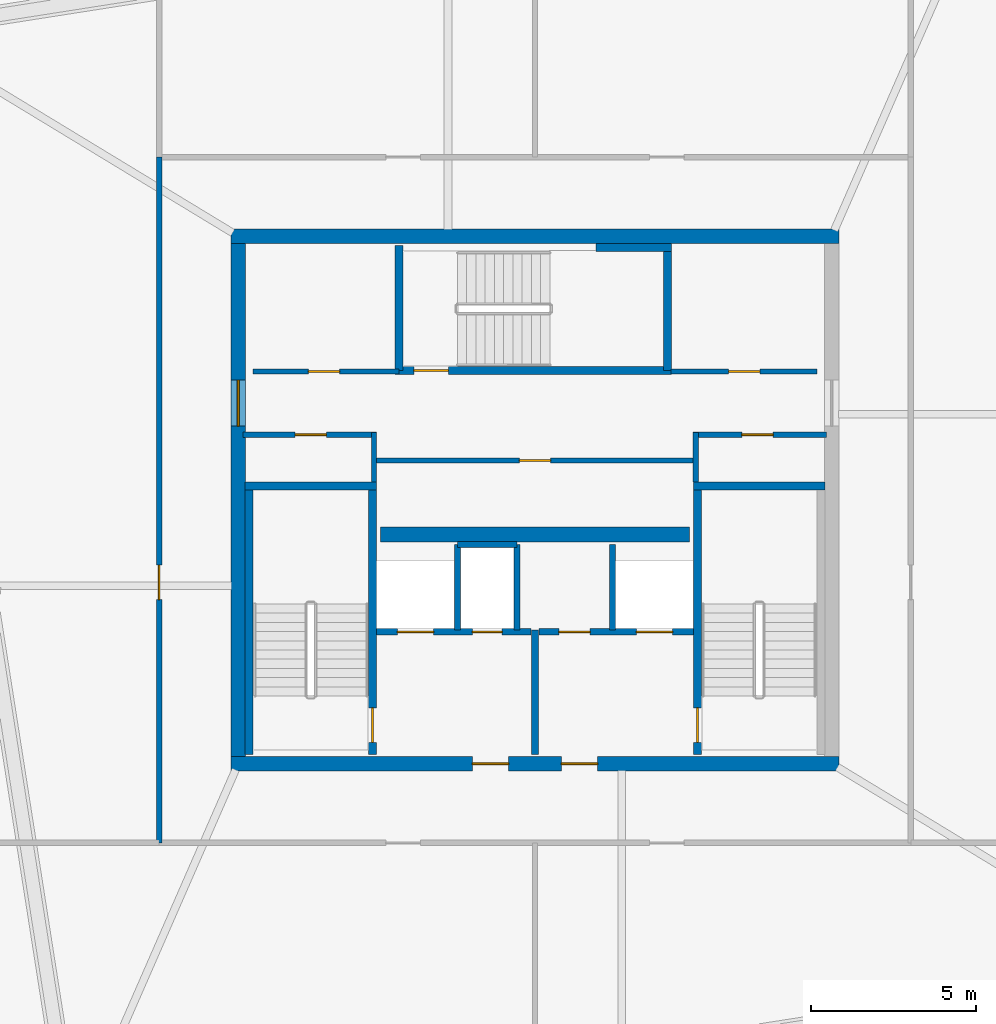
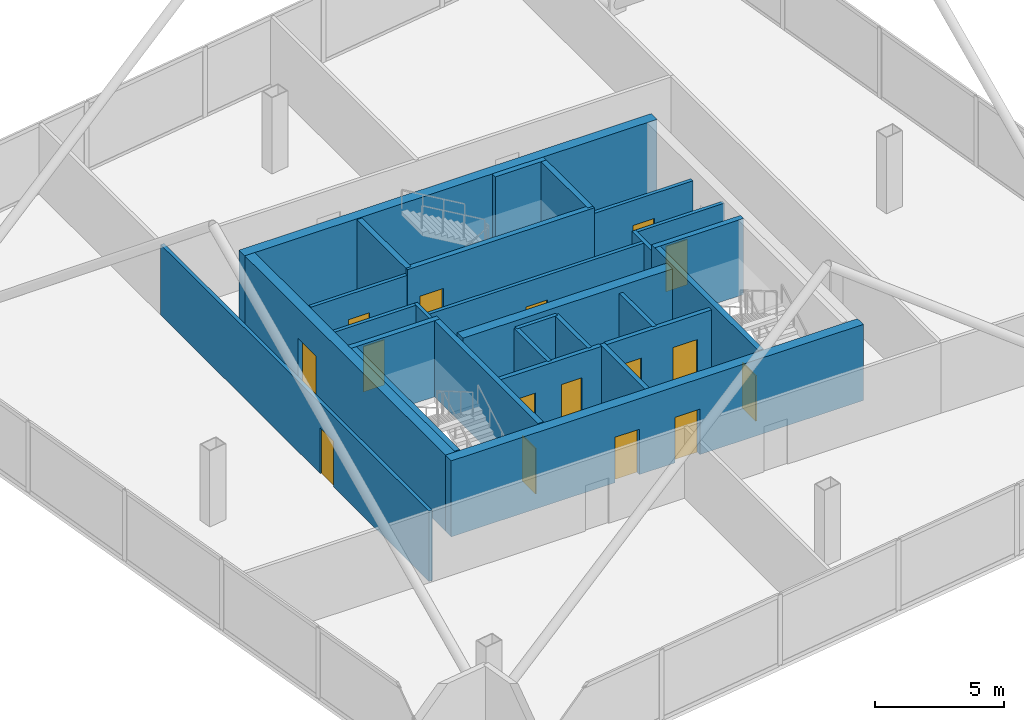
# One storey, part 19 of 21: 28 walls, 16 doors, 16 openings.
"""IFC4 building model written with IfcOpenShell, lengths in metres."""

from ifc_helpers import new_model, si_unit, direction, frame, frame_2d, origin, place, context, subcontext, project, spatial, rectangle, extrude, material, layer, layer_set, type_object, element, fill, save


model = new_model("IFC4")

# Units and contexts
model_context = context("Model", 3, precision=1e-05, world=origin(), true_north=direction((0.0, 1.0)))
body_context = subcontext(model_context, "Body", "Model", "MODEL_VIEW")
ifc_project = project(units=[si_unit("LENGTHUNIT", "METRE"), si_unit("AREAUNIT", "SQUARE_METRE"), si_unit("VOLUMEUNIT", "CUBIC_METRE"), si_unit("PLANEANGLEUNIT", "RADIAN"), si_unit("MASSUNIT", "GRAM", prefix="KILO")], contexts=[model_context])

# Site, building, storey
site_placement = place(None, origin())
site = spatial("IfcSite", under=ifc_project, at=site_placement, CompositionType="ELEMENT")
building_placement = place(site_placement, origin())
building = spatial("IfcBuilding", under=site, at=building_placement, Name="Haldenkirk Collegiate Tower", CompositionType="ELEMENT")
storey_placement = place(building_placement, frame((0.0, 0.0, 360.60009765625)))
storey = spatial("IfcBuildingStorey", under=building, at=storey_placement, Name="L91", CompositionType="ELEMENT", Elevation=360.60009765625)

# Wall, openings, doors
ifc_material_1 = material(Name="Concrete f'c 55 MPa", Category="concrete")
ifc_layer_1 = layer(ifc_material_1, 0.449951171875)
ifc_layer_set_1 = layer_set([ifc_layer_1], Name="Concrete f'c 55 MPa")
wall_type_1 = type_object("IfcWallType", Name="WL-CORE-450", PredefinedType="SHEAR", material=ifc_layer_set_1)
wall_1_placement = place(storey_placement, frame((26.77490234375, 18.0, 0.0), z_axis=(0.0, 0.0, 1.0), x_axis=(1.0, 0.0, 0.0)))
wall_1 = element("IfcWall", 1, at=wall_1_placement, inside=storey, type_object=wall_type_1, Name="L91 central core shear wall S", PredefinedType="SHEAR", context=body_context, shape_type="SweptSolid", body=[
    extrude(rectangle(XDim=18.4501953125, YDim=0.449951171875, at=frame_2d((9.22509765625, 0.0))), origin(), (0.0, 0.0, 1.0), 3.599853515625),
])
opening_1_placement = place(wall_1_placement, frame((7.324951171875, 0.0, 0.0)))
opening_1 = element("IfcOpeningElement", 2, at=opening_1_placement, cuts=wall_1, Name="Opening D-02", PredefinedType="OPENING", context=body_context, shape_type="SweptSolid", body=[
    extrude(rectangle(XDim=1.10009765625, YDim=2.14990234375, at=frame_2d((0.550048828125, 1.074951171875))), frame((0.0, 0.23486328125, 0.0), z_axis=(0.0, -1.0, 0.0), x_axis=(1.0, 0.0, 0.0)), (0.0, 0.0, 1.0), 0.469970703125),
])
opening_2_placement = place(wall_1_placement, frame((10.02490234375, 0.0, 0.0)))
opening_2 = element("IfcOpeningElement", 3, at=opening_2_placement, cuts=wall_1, Name="Opening D-02", PredefinedType="OPENING", context=body_context, shape_type="SweptSolid", body=[
    extrude(rectangle(XDim=1.10009765625, YDim=2.14990234375, at=frame_2d((0.550048828125, 1.074951171875))), frame((0.0, 0.23486328125, 0.0), z_axis=(0.0, -1.0, 0.0), x_axis=(1.0, 0.0, 0.0)), (0.0, 0.0, 1.0), 0.469970703125),
])
ifc_material_2 = material(Name="Galvanized fire-rated hollow steel door", Category="steel")
ifc_layer_2 = layer(ifc_material_2, 0.06005859375)
ifc_layer_set_2 = layer_set([ifc_layer_2], Name="Galvanized fire-rated hollow steel door")
door_type_1 = type_object("IfcDoorType", Name="DR-STAIR-FD90-1100", OperationType="NOTDEFINED", PredefinedType="DOOR", material=ifc_layer_set_2)
door_1_placement = place(opening_1_placement, origin())
door_1 = element("IfcDoor", 4, at=door_1_placement, inside=storey, type_object=door_type_1, Name="L91 Firefighting Lobby 1 door", OperationType="SINGLE_SWING_LEFT", OverallHeight=2.14990234375, OverallWidth=1.10009765625, PredefinedType="DOOR", context=body_context, shape_type="SweptSolid", body=[
    extrude(rectangle(XDim=1.10009765625, YDim=2.14990234375, at=frame_2d((0.550048828125, 1.074951171875))), frame((0.0, 0.02490234375, 0.0), z_axis=(0.0, -1.0, 0.0), x_axis=(1.0, 0.0, 0.0)), (0.0, 0.0, 1.0), 0.050048828125),
])
fill(opening_1, door_1)
door_2_placement = place(opening_2_placement, origin())
door_2 = element("IfcDoor", 5, at=door_2_placement, inside=storey, type_object=door_type_1, Name="L91 Firefighting Lobby 2 door", OperationType="SINGLE_SWING_RIGHT", OverallHeight=2.14990234375, OverallWidth=1.10009765625, PredefinedType="DOOR", context=body_context, shape_type="SweptSolid", body=[
    extrude(rectangle(XDim=1.10009765625, YDim=2.14990234375, at=frame_2d((0.550048828125, 1.074951171875))), frame((0.0, 0.02490234375, 0.0), z_axis=(0.0, -1.0, 0.0), x_axis=(1.0, 0.0, 0.0)), (0.0, 0.0, 1.0), 0.050048828125),
])
fill(opening_2, door_2)

# Wall
wall_2_placement = place(storey_placement, frame((26.77490234375, 34.0, 0.0), z_axis=(0.0, 0.0, 1.0), x_axis=(1.0, 0.0, 0.0)))
element("IfcWall", 6, at=wall_2_placement, inside=storey, type_object=wall_type_1, Name="L91 central core shear wall N", PredefinedType="SHEAR", context=body_context, shape_type="SweptSolid", body=[
    extrude(rectangle(XDim=18.4501953125, YDim=0.449951171875, at=frame_2d((9.22509765625, 0.0))), origin(), (0.0, 0.0, 1.0), 3.599853515625),
])

# Wall, opening, door
wall_3_placement = place(storey_placement, frame((27.0, 18.22509765625, 0.0), z_axis=(0.0, 0.0, 1.0), x_axis=(0.0, 1.0, 0.0)))
wall_3 = element("IfcWall", 7, at=wall_3_placement, inside=storey, type_object=wall_type_1, Name="L91 central core shear wall W", PredefinedType="SHEAR", context=body_context, shape_type="SweptSolid", body=[
    extrude(rectangle(XDim=15.5498046875, YDim=0.449951171875, at=frame_2d((7.77490234375, 0.0))), origin(), (0.0, 0.0, 1.0), 3.599853515625),
])
opening_3_placement = place(wall_3_placement, frame((10.014892578125, 0.0, 0.0)))
opening_3 = element("IfcOpeningElement", 8, at=opening_3_placement, cuts=wall_3, Name="Opening D-03", PredefinedType="OPENING", context=body_context, shape_type="SweptSolid", body=[
    extrude(rectangle(XDim=1.39990234375, YDim=2.199951171875, at=frame_2d((0.699951171875, 1.10009765625))), frame((0.0, 0.23486328125, 0.0), z_axis=(0.0, -1.0, 0.0), x_axis=(1.0, 0.0, 0.0)), (0.0, 0.0, 1.0), 0.469970703125),
])
ifc_layer_3 = layer(ifc_material_2, 0.06005859375)
ifc_layer_set_3 = layer_set([ifc_layer_3], Name="Galvanized fire-rated hollow steel door")
door_type_2 = type_object("IfcDoorType", Name="DR-LOBBY-FD90-1400", OperationType="NOTDEFINED", PredefinedType="DOOR", material=ifc_layer_set_3)
door_3_placement = place(opening_3_placement, origin())
door_3 = element("IfcDoor", 9, at=door_3_placement, inside=storey, type_object=door_type_2, Name="L91 west lift lobby portal", OperationType="DOUBLE_DOOR_SINGLE_SWING", OverallHeight=2.199951171875, OverallWidth=1.39990234375, PredefinedType="DOOR", context=body_context, shape_type="SweptSolid", body=[
    extrude(rectangle(XDim=1.39990234375, YDim=2.199951171875, at=frame_2d((0.699951171875, 1.10009765625))), frame((0.0, 0.02490234375, 0.0), z_axis=(0.0, -1.0, 0.0), x_axis=(1.0, 0.0, 0.0)), (0.0, 0.0, 1.0), 0.050048828125),
])
fill(opening_3, door_3)

# Wall
wall_4_placement = place(storey_placement, frame((31.31005859375, 24.949951171875, 0.0), z_axis=(0.0, 0.0, 1.0), x_axis=(1.0, 0.0, 0.0)))
element("IfcWall", 10, at=wall_4_placement, inside=storey, type_object=wall_type_1, Name="L91 central core spine shear wall", PredefinedType="SHEAR", context=body_context, shape_type="SweptSolid", body=[
    extrude(rectangle(XDim=9.3798828125, YDim=0.449951171875, at=frame_2d((4.68994140625, 0.0))), origin(), (0.0, 0.0, 1.0), 3.599853515625),
])

# Wall, opening, door
ifc_material_3 = material(Name="Acoustic fire-rated gypsum partition", Category="concrete")
ifc_layer_4 = layer(ifc_material_3, 0.159912109375)
ifc_layer_set_4 = layer_set([ifc_layer_4], Name="Acoustic fire-rated gypsum partition")
wall_type_2 = type_object("IfcWallType", Name="WL-INT-CORR-160", PredefinedType="PARTITIONING", material=ifc_layer_set_4)
wall_5_placement = place(storey_placement, frame((27.14990234375, 27.97998046875, 0.0), z_axis=(0.0, 0.0, 1.0), x_axis=(1.0, 0.0, 0.0)))
wall_5 = element("IfcWall", 11, at=wall_5_placement, inside=storey, type_object=wall_type_2, Name="L91 interior partition IW-L91-VCSW-N", PredefinedType="PARTITIONING", context=body_context, shape_type="SweptSolid", body=[
    extrude(rectangle(XDim=4.050048828125, YDim=0.159912109375, at=frame_2d((2.02490234375, 0.0))), origin(), (0.0, 0.0, 1.0), 3.329833984375),
])
opening_4_placement = place(wall_5_placement, frame((1.574951171875, 0.0, 0.0)))
opening_4 = element("IfcOpeningElement", 12, at=opening_4_placement, cuts=wall_5, Name="Opening D-10", PredefinedType="OPENING", context=body_context, shape_type="SweptSolid", body=[
    extrude(rectangle(XDim=0.949951171875, YDim=2.14990234375, at=frame_2d((0.47509765625, 1.074951171875))), frame((0.0, 0.08984375, 0.0), z_axis=(0.0, -1.0, 0.0), x_axis=(1.0, 0.0, 0.0)), (0.0, 0.0, 1.0), 0.179931640625),
])
ifc_material_4 = material(Name="Solid-core architectural oak fire door", Category="wood")
ifc_layer_5 = layer(ifc_material_4, 0.06005859375)
ifc_layer_set_5 = layer_set([ifc_layer_5], Name="Solid-core architectural oak fire door")
door_type_3 = type_object("IfcDoorType", Name="DR-INT-FD60-950", OperationType="NOTDEFINED", PredefinedType="DOOR", material=ifc_layer_set_5)
door_4_placement = place(opening_4_placement, origin())
door_4 = element("IfcDoor", 13, at=door_4_placement, inside=storey, type_object=door_type_3, Name="L91 core electrical door", OperationType="SINGLE_SWING_LEFT", OverallHeight=2.14990234375, OverallWidth=0.949951171875, PredefinedType="DOOR", context=body_context, shape_type="SweptSolid", body=[
    extrude(rectangle(XDim=0.949951171875, YDim=2.14990234375, at=frame_2d((0.47509765625, 1.074951171875))), frame((0.0, 0.02490234375, 0.0), z_axis=(0.0, -1.0, 0.0), x_axis=(1.0, 0.0, 0.0)), (0.0, 0.0, 1.0), 0.050048828125),
])
fill(opening_4, door_4)

# Wall
wall_6_placement = place(storey_placement, frame((31.1201171875, 26.5400390625, 0.0), z_axis=(0.0, 0.0, 1.0), x_axis=(0.0, 1.0, 0.0)))
element("IfcWall", 14, at=wall_6_placement, inside=storey, type_object=wall_type_2, Name="L91 interior partition IW-L91-VCSW-E", PredefinedType="PARTITIONING", context=body_context, shape_type="SweptSolid", body=[
    extrude(rectangle(XDim=1.510009765625, YDim=0.159912109375, at=frame_2d((0.7548828125, 0.0))), origin(), (0.0, 0.0, 1.0), 3.329833984375),
])

# Wall, opening, door
wall_7_placement = place(storey_placement, frame((40.800048828125, 27.97998046875, 0.0), z_axis=(0.0, 0.0, 1.0), x_axis=(1.0, 0.0, 0.0)))
wall_7 = element("IfcWall", 15, at=wall_7_placement, inside=storey, type_object=wall_type_2, Name="L91 interior partition IW-L91-VCSE-N", PredefinedType="PARTITIONING", context=body_context, shape_type="SweptSolid", body=[
    extrude(rectangle(XDim=4.050048828125, YDim=0.159912109375, at=frame_2d((2.02490234375, 0.0))), origin(), (0.0, 0.0, 1.0), 3.329833984375),
])
opening_5_placement = place(wall_7_placement, frame((1.47509765625, 0.0, 0.0)))
opening_5 = element("IfcOpeningElement", 16, at=opening_5_placement, cuts=wall_7, Name="Opening D-10", PredefinedType="OPENING", context=body_context, shape_type="SweptSolid", body=[
    extrude(rectangle(XDim=0.949951171875, YDim=2.14990234375, at=frame_2d((0.47509765625, 1.074951171875))), frame((0.0, 0.08984375, 0.0), z_axis=(0.0, -1.0, 0.0), x_axis=(1.0, 0.0, 0.0)), (0.0, 0.0, 1.0), 0.179931640625),
])
door_5_placement = place(opening_5_placement, origin())
door_5 = element("IfcDoor", 17, at=door_5_placement, inside=storey, type_object=door_type_3, Name="L91 core mechanical store door", OperationType="SINGLE_SWING_RIGHT", OverallHeight=2.14990234375, OverallWidth=0.949951171875, PredefinedType="DOOR", context=body_context, shape_type="SweptSolid", body=[
    extrude(rectangle(XDim=0.949951171875, YDim=2.14990234375, at=frame_2d((0.47509765625, 1.074951171875))), frame((0.0, 0.02490234375, 0.0), z_axis=(0.0, -1.0, 0.0), x_axis=(1.0, 0.0, 0.0)), (0.0, 0.0, 1.0), 0.050048828125),
])
fill(opening_5, door_5)

# Wall
wall_8_placement = place(storey_placement, frame((40.8798828125, 26.5400390625, 0.0), z_axis=(0.0, 0.0, 1.0), x_axis=(0.0, 1.0, 0.0)))
element("IfcWall", 18, at=wall_8_placement, inside=storey, type_object=wall_type_2, Name="L91 interior partition IW-L91-VCSE-W", PredefinedType="PARTITIONING", context=body_context, shape_type="SweptSolid", body=[
    extrude(rectangle(XDim=1.510009765625, YDim=0.159912109375, at=frame_2d((0.7548828125, 0.0))), origin(), (0.0, 0.0, 1.0), 3.329833984375),
])

# Wall, opening, door
wall_9_placement = place(storey_placement, frame((27.449951171875, 29.89990234375, 0.0), z_axis=(0.0, 0.0, 1.0), x_axis=(1.0, 0.0, 0.0)))
wall_9 = element("IfcWall", 19, at=wall_9_placement, inside=storey, type_object=wall_type_2, Name="L91 interior partition IW-L91-PLS", PredefinedType="PARTITIONING", context=body_context, shape_type="SweptSolid", body=[
    extrude(rectangle(XDim=4.429931640625, YDim=0.159912109375, at=frame_2d((2.21484375, 0.0))), origin(), (0.0, 0.0, 1.0), 3.329833984375),
])
opening_6_placement = place(wall_9_placement, frame((1.675048828125, 0.0, 0.0)))
opening_6 = element("IfcOpeningElement", 20, at=opening_6_placement, cuts=wall_9, Name="Opening D-10", PredefinedType="OPENING", context=body_context, shape_type="SweptSolid", body=[
    extrude(rectangle(XDim=0.949951171875, YDim=2.14990234375, at=frame_2d((0.47509765625, 1.074951171875))), frame((0.0, 0.08984375, 0.0), z_axis=(0.0, -1.0, 0.0), x_axis=(1.0, 0.0, 0.0)), (0.0, 0.0, 1.0), 0.179931640625),
])
door_6_placement = place(opening_6_placement, origin())
door_6 = element("IfcDoor", 21, at=door_6_placement, inside=storey, type_object=door_type_3, Name="L91 reclaimed plant store door", OperationType="SINGLE_SWING_LEFT", OverallHeight=2.14990234375, OverallWidth=0.949951171875, PredefinedType="DOOR", context=body_context, shape_type="SweptSolid", body=[
    extrude(rectangle(XDim=0.949951171875, YDim=2.14990234375, at=frame_2d((0.47509765625, 1.074951171875))), frame((0.0, 0.02490234375, 0.0), z_axis=(0.0, -1.0, 0.0), x_axis=(1.0, 0.0, 0.0)), (0.0, 0.0, 1.0), 0.050048828125),
])
fill(opening_6, door_6)

wall_10_placement = place(storey_placement, frame((40.1201171875, 29.89990234375, 0.0), z_axis=(0.0, 0.0, 1.0), x_axis=(1.0, 0.0, 0.0)))
wall_10 = element("IfcWall", 22, at=wall_10_placement, inside=storey, type_object=wall_type_2, Name="L91 interior partition IW-L91-PMS", PredefinedType="PARTITIONING", context=body_context, shape_type="SweptSolid", body=[
    extrude(rectangle(XDim=4.429931640625, YDim=0.159912109375, at=frame_2d((2.21484375, 0.0))), origin(), (0.0, 0.0, 1.0), 3.329833984375),
])
opening_7_placement = place(wall_10_placement, frame((1.7548828125, 0.0, 0.0)))
opening_7 = element("IfcOpeningElement", 23, at=opening_7_placement, cuts=wall_10, Name="Opening D-10", PredefinedType="OPENING", context=body_context, shape_type="SweptSolid", body=[
    extrude(rectangle(XDim=0.949951171875, YDim=2.14990234375, at=frame_2d((0.47509765625, 1.074951171875))), frame((0.0, 0.08984375, 0.0), z_axis=(0.0, -1.0, 0.0), x_axis=(1.0, 0.0, 0.0)), (0.0, 0.0, 1.0), 0.179931640625),
])
door_7_placement = place(opening_7_placement, origin())
door_7 = element("IfcDoor", 24, at=door_7_placement, inside=storey, type_object=door_type_3, Name="L91 east plant store door", OperationType="SINGLE_SWING_RIGHT", OverallHeight=2.14990234375, OverallWidth=0.949951171875, PredefinedType="DOOR", context=body_context, shape_type="SweptSolid", body=[
    extrude(rectangle(XDim=0.949951171875, YDim=2.14990234375, at=frame_2d((0.47509765625, 1.074951171875))), frame((0.0, 0.02490234375, 0.0), z_axis=(0.0, -1.0, 0.0), x_axis=(1.0, 0.0, 0.0)), (0.0, 0.0, 1.0), 0.050048828125),
])
fill(opening_7, door_7)

wall_11_placement = place(storey_placement, frame((31.199951171875, 27.199951171875, 0.0), z_axis=(0.0, 0.0, 1.0), x_axis=(1.0, 0.0, 0.0)))
wall_11 = element("IfcWall", 25, at=wall_11_placement, inside=storey, type_object=wall_type_2, Name="L91 interior partition IW-L91-PHN", PredefinedType="PARTITIONING", context=body_context, shape_type="SweptSolid", body=[
    extrude(rectangle(XDim=9.60009765625, YDim=0.159912109375, at=frame_2d((4.800048828125, 0.0))), origin(), (0.0, 0.0, 1.0), 3.329833984375),
])
opening_8_placement = place(wall_11_placement, frame((4.324951171875, 0.0, 0.0)))
opening_8 = element("IfcOpeningElement", 26, at=opening_8_placement, cuts=wall_11, Name="Opening D-10", PredefinedType="OPENING", context=body_context, shape_type="SweptSolid", body=[
    extrude(rectangle(XDim=0.949951171875, YDim=2.14990234375, at=frame_2d((0.47509765625, 1.074951171875))), frame((0.0, 0.08984375, 0.0), z_axis=(0.0, -1.0, 0.0), x_axis=(1.0, 0.0, 0.0)), (0.0, 0.0, 1.0), 0.179931640625),
])
door_8_placement = place(opening_8_placement, origin())
door_8 = element("IfcDoor", 27, at=door_8_placement, inside=storey, type_object=door_type_3, Name="L91 crown telemetry door", OperationType="SINGLE_SWING_LEFT", OverallHeight=2.14990234375, OverallWidth=0.949951171875, PredefinedType="DOOR", context=body_context, shape_type="SweptSolid", body=[
    extrude(rectangle(XDim=0.949951171875, YDim=2.14990234375, at=frame_2d((0.47509765625, 1.074951171875))), frame((0.0, 0.02490234375, 0.0), z_axis=(0.0, -1.0, 0.0), x_axis=(1.0, 0.0, 0.0)), (0.0, 0.0, 1.0), 0.050048828125),
])
fill(opening_8, door_8)

wall_12_placement = place(storey_placement, frame((24.60009765625, 15.60009765625, 0.0), z_axis=(0.0, 0.0, 1.0), x_axis=(0.0, 1.0, 0.0)))
wall_12 = element("IfcWall", 28, at=wall_12_placement, inside=storey, type_object=wall_type_2, Name="L91 interior partition IW-L91-CW", PredefinedType="PARTITIONING", context=body_context, shape_type="SweptSolid", body=[
    extrude(rectangle(XDim=20.7998046875, YDim=0.159912109375, at=frame_2d((10.39990234375, 0.0))), origin(), (0.0, 0.0, 1.0), 3.329833984375),
])
opening_9_placement = place(wall_12_placement, frame((7.375, 0.0, 0.0)))
opening_9 = element("IfcOpeningElement", 29, at=opening_9_placement, cuts=wall_12, Name="Opening D-09", PredefinedType="OPENING", context=body_context, shape_type="SweptSolid", body=[
    extrude(rectangle(XDim=1.050048828125, YDim=2.14990234375, at=frame_2d((0.52490234375, 1.074951171875))), frame((0.0, 0.08984375, 0.0), z_axis=(0.0, -1.0, 0.0), x_axis=(1.0, 0.0, 0.0)), (0.0, 0.0, 1.0), 0.179931640625),
])
ifc_layer_6 = layer(ifc_material_4, 0.06005859375)
ifc_layer_set_6 = layer_set([ifc_layer_6], Name="Solid-core architectural oak fire door")
door_type_4 = type_object("IfcDoorType", Name="DR-INT-FD60-1050", OperationType="NOTDEFINED", PredefinedType="DOOR", material=ifc_layer_set_6)
door_9_placement = place(opening_9_placement, origin())
door_9 = element("IfcDoor", 30, at=door_9_placement, inside=storey, type_object=door_type_4, Name="L91 crown W plant door", OperationType="SINGLE_SWING_RIGHT", OverallHeight=2.14990234375, OverallWidth=1.050048828125, PredefinedType="DOOR", context=body_context, shape_type="SweptSolid", body=[
    extrude(rectangle(XDim=1.050048828125, YDim=2.14990234375, at=frame_2d((0.52490234375, 1.074951171875))), frame((0.0, 0.02490234375, 0.0), z_axis=(0.0, -1.0, 0.0), x_axis=(1.0, 0.0, 0.0)), (0.0, 0.0, 1.0), 0.050048828125),
])
fill(opening_9, door_9)

# Walls
ifc_material_5 = material(Name="Fire-rated gypsum shaftboard assembly", Category="concrete")
ifc_layer_7 = layer(ifc_material_5, 0.179931640625)
ifc_layer_set_7 = layer_set([ifc_layer_7], Name="Fire-rated gypsum shaftboard assembly")
wall_type_3 = type_object("IfcWallType", Name="WL-INT-SHAFT-180", PredefinedType="PARTITIONING", material=ifc_layer_set_7)
for number, where, z_axis, x_axis, name in (
    (31, (33.64990234375, 22.050048828125, 0.0), (0.0, 0.0, 1.0), (0.0, 1.0, 0.0), "L91 interior partition IW-L91-FL1E"),
    (32, (35.449951171875, 22.050048828125, 0.0), (0.0, 0.0, 1.0), (0.0, 1.0, 0.0), "L91 interior partition IW-L91-GL1W"),
):
    element("IfcWall", number, at=place(storey_placement, frame(where, z_axis=z_axis, x_axis=x_axis)), inside=storey, type_object=wall_type_3, Name=name, PredefinedType="PARTITIONING", context=body_context, shape_type="SweptSolid", body=[
        extrude(rectangle(XDim=2.599853515625, YDim=0.179931640625, at=frame_2d((1.2998046875, 0.0))), origin(), (0.0, 0.0, 1.0), 3.329833984375),
    ])
wall_13_placement = place(storey_placement, frame((33.64990234375, 24.64990234375, 0.0), z_axis=(0.0, 0.0, 1.0), x_axis=(1.0, 0.0, 0.0)))
element("IfcWall", 33, at=wall_13_placement, inside=storey, type_object=wall_type_3, Name="L91 interior partition IW-L91-RSRN", PredefinedType="PARTITIONING", context=body_context, shape_type="SweptSolid", body=[
    extrude(rectangle(XDim=1.800048828125, YDim=0.179931640625, at=frame_2d((0.89990234375, 0.0))), origin(), (0.0, 0.0, 1.0), 3.329833984375),
])
wall_14_placement = place(storey_placement, frame((38.35009765625, 22.050048828125, 0.0), z_axis=(0.0, 0.0, 1.0), x_axis=(0.0, 1.0, 0.0)))
element("IfcWall", 34, at=wall_14_placement, inside=storey, type_object=wall_type_3, Name="L91 interior partition IW-L91-GL1E", PredefinedType="PARTITIONING", context=body_context, shape_type="SweptSolid", body=[
    extrude(rectangle(XDim=2.599853515625, YDim=0.179931640625, at=frame_2d((1.2998046875, 0.0))), origin(), (0.0, 0.0, 1.0), 3.329833984375),
])
ifc_layer_8 = layer(ifc_material_5, 0.199951171875)
ifc_layer_set_8 = layer_set([ifc_layer_8], Name="Fire-rated gypsum shaftboard assembly")
wall_type_4 = type_object("IfcWallType", Name="WL-INT-SHAFT-200", PredefinedType="PARTITIONING", material=ifc_layer_set_8)
wall_15_placement = place(storey_placement, frame((36.0, 18.280029296875, 0.0), z_axis=(0.0, 0.0, 1.0), x_axis=(0.0, 1.0, 0.0)))
element("IfcWall", 35, at=wall_15_placement, inside=storey, type_object=wall_type_4, Name="L91 interior partition IW-L91-FFLM", PredefinedType="PARTITIONING", context=body_context, shape_type="SweptSolid", body=[
    extrude(rectangle(XDim=3.77001953125, YDim=0.199951171875, at=frame_2d((1.885009765625, 0.0))), origin(), (0.0, 0.0, 1.0), 3.329833984375),
])

# Wall, openings, doors
wall_16_placement = place(storey_placement, frame((31.18994140625, 22.0, 0.0), z_axis=(0.0, 0.0, 1.0), x_axis=(1.0, 0.0, 0.0)))
wall_16 = element("IfcWall", 36, at=wall_16_placement, inside=storey, type_object=wall_type_4, Name="L91 interior partition IW-L91-FFL1N", PredefinedType="PARTITIONING", context=body_context, shape_type="SweptSolid", body=[
    extrude(rectangle(XDim=4.68994140625, YDim=0.199951171875, at=frame_2d((2.344970703125, 0.0))), origin(), (0.0, 0.0, 1.0), 3.329833984375),
])
opening_10_placement = place(wall_16_placement, frame((2.909912109375, 0.0, 0.0)))
opening_10 = element("IfcOpeningElement", 37, at=opening_10_placement, cuts=wall_16, Name="Opening D-06", PredefinedType="OPENING", context=body_context, shape_type="SweptSolid", body=[
    extrude(rectangle(XDim=0.89990234375, YDim=2.14990234375, at=frame_2d((0.449951171875, 1.074951171875))), frame((0.0, 0.10986328125, 0.0), z_axis=(0.0, -1.0, 0.0), x_axis=(1.0, 0.0, 0.0)), (0.0, 0.0, 1.0), 0.219970703125),
])
opening_11_placement = place(wall_16_placement, frame((0.635009765625, 0.0, 0.0)))
opening_11 = element("IfcOpeningElement", 38, at=opening_11_placement, cuts=wall_16, Name="Opening LD-12", PredefinedType="OPENING", context=body_context, shape_type="SweptSolid", body=[
    extrude(rectangle(XDim=1.10009765625, YDim=2.14990234375, at=frame_2d((0.550048828125, 1.074951171875))), frame((0.0, 0.10986328125, 0.0), z_axis=(0.0, -1.0, 0.0), x_axis=(1.0, 0.0, 0.0)), (0.0, 0.0, 1.0), 0.219970703125),
])
ifc_layer_9 = layer(ifc_material_2, 0.06005859375)
ifc_layer_set_9 = layer_set([ifc_layer_9], Name="Galvanized fire-rated hollow steel door")
door_type_5 = type_object("IfcDoorType", Name="DR-INT-FD90-900", OperationType="NOTDEFINED", PredefinedType="DOOR", material=ifc_layer_set_9)
door_10_placement = place(opening_10_placement, origin())
door_10 = element("IfcDoor", 39, at=door_10_placement, inside=storey, type_object=door_type_5, Name="L91 electrical riser door", OperationType="SINGLE_SWING_LEFT", OverallHeight=2.14990234375, OverallWidth=0.89990234375, PredefinedType="DOOR", context=body_context, shape_type="SweptSolid", body=[
    extrude(rectangle(XDim=0.89990234375, YDim=2.14990234375, at=frame_2d((0.449951171875, 1.074951171875))), frame((0.0, 0.02490234375, 0.0), z_axis=(0.0, -1.0, 0.0), x_axis=(1.0, 0.0, 0.0)), (0.0, 0.0, 1.0), 0.050048828125),
])
fill(opening_10, door_10)
ifc_material_6 = material(Name="Brushed architectural stainless steel", Category="steel")
ifc_layer_10 = layer(ifc_material_6, 0.06005859375)
ifc_layer_set_10 = layer_set([ifc_layer_10], Name="Brushed architectural stainless steel")
door_type_6 = type_object("IfcDoorType", Name="LD-FIRE-1100", OperationType="NOTDEFINED", PredefinedType="DOOR", material=ifc_layer_set_10)
door_11_placement = place(opening_11_placement, origin())
door_11 = element("IfcDoor", 40, at=door_11_placement, inside=storey, type_object=door_type_6, Name="L91 Elevator FL1 sliding landing door", OperationType="SLIDING_TO_LEFT", OverallHeight=2.14990234375, OverallWidth=1.10009765625, PredefinedType="DOOR", context=body_context, shape_type="SweptSolid", body=[
    extrude(rectangle(XDim=1.10009765625, YDim=2.14990234375, at=frame_2d((0.550048828125, 1.074951171875))), frame((0.0, 0.02490234375, 0.0), z_axis=(0.0, -1.0, 0.0), x_axis=(1.0, 0.0, 0.0)), (0.0, 0.0, 1.0), 0.050048828125),
])
fill(opening_11, door_11)

wall_17_placement = place(storey_placement, frame((36.1201171875, 22.0, 0.0), z_axis=(0.0, 0.0, 1.0), x_axis=(1.0, 0.0, 0.0)))
wall_17 = element("IfcWall", 41, at=wall_17_placement, inside=storey, type_object=wall_type_4, Name="L91 interior partition IW-L91-FFL2N", PredefinedType="PARTITIONING", context=body_context, shape_type="SweptSolid", body=[
    extrude(rectangle(XDim=4.68994140625, YDim=0.199951171875, at=frame_2d((2.344970703125, 0.0))), origin(), (0.0, 0.0, 1.0), 3.329833984375),
])
opening_12_placement = place(wall_17_placement, frame((0.60498046875, 0.0, 0.0)))
opening_12 = element("IfcOpeningElement", 42, at=opening_12_placement, cuts=wall_17, Name="Opening D-05", PredefinedType="OPENING", context=body_context, shape_type="SweptSolid", body=[
    extrude(rectangle(XDim=0.949951171875, YDim=2.14990234375, at=frame_2d((0.47509765625, 1.074951171875))), frame((0.0, 0.10986328125, 0.0), z_axis=(0.0, -1.0, 0.0), x_axis=(1.0, 0.0, 0.0)), (0.0, 0.0, 1.0), 0.219970703125),
])
opening_13_placement = place(wall_17_placement, frame((2.955078125, 0.0, 0.0)))
opening_13 = element("IfcOpeningElement", 43, at=opening_13_placement, cuts=wall_17, Name="Opening LD-12", PredefinedType="OPENING", context=body_context, shape_type="SweptSolid", body=[
    extrude(rectangle(XDim=1.10009765625, YDim=2.14990234375, at=frame_2d((0.550048828125, 1.074951171875))), frame((0.0, 0.10986328125, 0.0), z_axis=(0.0, -1.0, 0.0), x_axis=(1.0, 0.0, 0.0)), (0.0, 0.0, 1.0), 0.219970703125),
])
ifc_layer_11 = layer(ifc_material_2, 0.06005859375)
ifc_layer_set_11 = layer_set([ifc_layer_11], Name="Galvanized fire-rated hollow steel door")
door_type_7 = type_object("IfcDoorType", Name="DR-INT-FD90-950", OperationType="NOTDEFINED", PredefinedType="DOOR", material=ifc_layer_set_11)
door_12_placement = place(opening_12_placement, origin())
door_12 = element("IfcDoor", 44, at=door_12_placement, inside=storey, type_object=door_type_7, Name="L91 Crown Controls Plant Room door", OperationType="SINGLE_SWING_RIGHT", OverallHeight=2.14990234375, OverallWidth=0.949951171875, PredefinedType="DOOR", context=body_context, shape_type="SweptSolid", body=[
    extrude(rectangle(XDim=0.949951171875, YDim=2.14990234375, at=frame_2d((0.47509765625, 1.074951171875))), frame((0.0, 0.02490234375, 0.0), z_axis=(0.0, -1.0, 0.0), x_axis=(1.0, 0.0, 0.0)), (0.0, 0.0, 1.0), 0.050048828125),
])
fill(opening_12, door_12)
door_13_placement = place(opening_13_placement, origin())
door_13 = element("IfcDoor", 45, at=door_13_placement, inside=storey, type_object=door_type_6, Name="L91 Elevator FL2 sliding landing door", OperationType="SLIDING_TO_LEFT", OverallHeight=2.14990234375, OverallWidth=1.10009765625, PredefinedType="DOOR", context=body_context, shape_type="SweptSolid", body=[
    extrude(rectangle(XDim=1.10009765625, YDim=2.14990234375, at=frame_2d((0.550048828125, 1.074951171875))), frame((0.0, 0.02490234375, 0.0), z_axis=(0.0, -1.0, 0.0), x_axis=(1.0, 0.0, 0.0)), (0.0, 0.0, 1.0), 0.050048828125),
])
fill(opening_13, door_13)

# Wall, opening, door
ifc_layer_12 = layer(ifc_material_1, 0.239990234375)
ifc_layer_set_12 = layer_set([ifc_layer_12], Name="Concrete f'c 55 MPa")
wall_type_5 = type_object("IfcWallType", Name="WL-SHAFT-240", PredefinedType="SHEAR", material=ifc_layer_set_12)
wall_18_placement = place(storey_placement, frame((31.070068359375, 18.280029296875, 0.0), z_axis=(0.0, 0.0, 1.0), x_axis=(0.0, 1.0, 0.0)))
wall_18 = element("IfcWall", 46, at=wall_18_placement, inside=storey, type_object=wall_type_5, Name="L91 stair shaft shear wall SW-L91-ST1E", PredefinedType="SHEAR", context=body_context, shape_type="SweptSolid", body=[
    extrude(rectangle(XDim=8.260009765625, YDim=0.239990234375, at=frame_2d((4.1298828125, 0.0))), origin(), (0.0, 0.0, 1.0), 3.599853515625),
])
opening_14_placement = place(wall_18_placement, frame((0.364990234375, 0.0, 0.0)))
opening_14 = element("IfcOpeningElement", 47, at=opening_14_placement, cuts=wall_18, Name="Opening D-01", PredefinedType="OPENING", context=body_context, shape_type="SweptSolid", body=[
    extrude(rectangle(XDim=1.050048828125, YDim=2.14990234375, at=frame_2d((0.52490234375, 1.074951171875))), frame((0.0, 0.1298828125, 0.0), z_axis=(0.0, -1.0, 0.0), x_axis=(1.0, 0.0, 0.0)), (0.0, 0.0, 1.0), 0.260009765625),
])
ifc_layer_13 = layer(ifc_material_2, 0.06005859375)
ifc_layer_set_13 = layer_set([ifc_layer_13], Name="Galvanized fire-rated hollow steel door")
door_type_8 = type_object("IfcDoorType", Name="DR-STAIR-FD90-1050", OperationType="NOTDEFINED", PredefinedType="DOOR", material=ifc_layer_set_13)
door_14_placement = place(opening_14_placement, origin())
door_14 = element("IfcDoor", 48, at=door_14_placement, inside=storey, type_object=door_type_8, Name="L91 Stair 1 door", OperationType="SINGLE_SWING_LEFT", OverallHeight=2.14990234375, OverallWidth=1.050048828125, PredefinedType="DOOR", context=body_context, shape_type="SweptSolid", body=[
    extrude(rectangle(XDim=1.050048828125, YDim=2.14990234375, at=frame_2d((0.52490234375, 1.074951171875))), frame((0.0, 0.02490234375, 0.0), z_axis=(0.0, -1.0, 0.0), x_axis=(1.0, 0.0, 0.0)), (0.0, 0.0, 1.0), 0.050048828125),
])
fill(opening_14, door_14)

# Walls
wall_19_placement = place(storey_placement, frame((27.2099609375, 26.419921875, 0.0), z_axis=(0.0, 0.0, 1.0), x_axis=(1.0, 0.0, 0.0)))
element("IfcWall", 49, at=wall_19_placement, inside=storey, type_object=wall_type_5, Name="L91 stair shaft shear wall SW-L91-ST1N", PredefinedType="SHEAR", context=body_context, shape_type="SweptSolid", body=[
    extrude(rectangle(XDim=3.97998046875, YDim=0.239990234375, at=frame_2d((1.989990234375, 0.0))), origin(), (0.0, 0.0, 1.0), 3.599853515625),
])
wall_20_placement = place(storey_placement, frame((27.330078125, 18.280029296875, 0.0), z_axis=(0.0, 0.0, 1.0), x_axis=(0.0, 1.0, 0.0)))
element("IfcWall", 50, at=wall_20_placement, inside=storey, type_object=wall_type_5, Name="L91 stair shaft shear wall SW-L91-ST1W", PredefinedType="SHEAR", context=body_context, shape_type="SweptSolid", body=[
    extrude(rectangle(XDim=8.260009765625, YDim=0.239990234375, at=frame_2d((4.1298828125, 0.0))), origin(), (0.0, 0.0, 1.0), 3.599853515625),
])

# Wall, opening, door
wall_21_placement = place(storey_placement, frame((40.929931640625, 18.280029296875, 0.0), z_axis=(0.0, 0.0, 1.0), x_axis=(0.0, 1.0, 0.0)))
wall_21 = element("IfcWall", 51, at=wall_21_placement, inside=storey, type_object=wall_type_5, Name="L91 stair shaft shear wall SW-L91-ST2W", PredefinedType="SHEAR", context=body_context, shape_type="SweptSolid", body=[
    extrude(rectangle(XDim=8.260009765625, YDim=0.239990234375, at=frame_2d((4.1298828125, 0.0))), origin(), (0.0, 0.0, 1.0), 3.599853515625),
])
opening_15_placement = place(wall_21_placement, frame((0.364990234375, 0.0, 0.0)))
opening_15 = element("IfcOpeningElement", 52, at=opening_15_placement, cuts=wall_21, Name="Opening D-01", PredefinedType="OPENING", context=body_context, shape_type="SweptSolid", body=[
    extrude(rectangle(XDim=1.050048828125, YDim=2.14990234375, at=frame_2d((0.52490234375, 1.074951171875))), frame((0.0, 0.1298828125, 0.0), z_axis=(0.0, -1.0, 0.0), x_axis=(1.0, 0.0, 0.0)), (0.0, 0.0, 1.0), 0.260009765625),
])
door_15_placement = place(opening_15_placement, origin())
door_15 = element("IfcDoor", 53, at=door_15_placement, inside=storey, type_object=door_type_8, Name="L91 Stair 2 door", OperationType="SINGLE_SWING_RIGHT", OverallHeight=2.14990234375, OverallWidth=1.050048828125, PredefinedType="DOOR", context=body_context, shape_type="SweptSolid", body=[
    extrude(rectangle(XDim=1.050048828125, YDim=2.14990234375, at=frame_2d((0.52490234375, 1.074951171875))), frame((0.0, 0.02490234375, 0.0), z_axis=(0.0, -1.0, 0.0), x_axis=(1.0, 0.0, 0.0)), (0.0, 0.0, 1.0), 0.050048828125),
])
fill(opening_15, door_15)

# Wall
wall_22_placement = place(storey_placement, frame((40.81005859375, 26.419921875, 0.0), z_axis=(0.0, 0.0, 1.0), x_axis=(1.0, 0.0, 0.0)))
element("IfcWall", 54, at=wall_22_placement, inside=storey, type_object=wall_type_5, Name="L91 stair shaft shear wall SW-L91-ST2N", PredefinedType="SHEAR", context=body_context, shape_type="SweptSolid", body=[
    extrude(rectangle(XDim=3.97998046875, YDim=0.239990234375, at=frame_2d((1.989990234375, 0.0))), origin(), (0.0, 0.0, 1.0), 3.599853515625),
])

# Wall, opening, door
wall_23_placement = place(storey_placement, frame((31.760009765625, 29.929931640625, 0.0), z_axis=(0.0, 0.0, 1.0), x_axis=(1.0, 0.0, 0.0)))
wall_23 = element("IfcWall", 55, at=wall_23_placement, inside=storey, type_object=wall_type_5, Name="L91 stair shaft shear wall SW-L91-ST3S", PredefinedType="SHEAR", context=body_context, shape_type="SweptSolid", body=[
    extrude(rectangle(XDim=8.3798828125, YDim=0.239990234375, at=frame_2d((4.18994140625, 0.0))), origin(), (0.0, 0.0, 1.0), 3.599853515625),
])
opening_16_placement = place(wall_23_placement, frame((0.56494140625, 0.0, 0.0)))
opening_16 = element("IfcOpeningElement", 56, at=opening_16_placement, cuts=wall_23, Name="Opening D-01", PredefinedType="OPENING", context=body_context, shape_type="SweptSolid", body=[
    extrude(rectangle(XDim=1.050048828125, YDim=2.14990234375, at=frame_2d((0.52490234375, 1.074951171875))), frame((0.0, 0.1298828125, 0.0), z_axis=(0.0, -1.0, 0.0), x_axis=(1.0, 0.0, 0.0)), (0.0, 0.0, 1.0), 0.260009765625),
])
door_16_placement = place(opening_16_placement, origin())
door_16 = element("IfcDoor", 57, at=door_16_placement, inside=storey, type_object=door_type_8, Name="L91 lift lobby Stair 3 door", OperationType="SINGLE_SWING_RIGHT", OverallHeight=2.14990234375, OverallWidth=1.050048828125, PredefinedType="DOOR", context=body_context, shape_type="SweptSolid", body=[
    extrude(rectangle(XDim=1.050048828125, YDim=2.14990234375, at=frame_2d((0.52490234375, 1.074951171875))), frame((0.0, 0.02490234375, 0.0), z_axis=(0.0, -1.0, 0.0), x_axis=(1.0, 0.0, 0.0)), (0.0, 0.0, 1.0), 0.050048828125),
])
fill(opening_16, door_16)

# Walls
wall_24_placement = place(storey_placement, frame((31.8798828125, 29.929931640625, 0.0), z_axis=(0.0, 0.0, 1.0), x_axis=(0.0, 1.0, 0.0)))
element("IfcWall", 58, at=wall_24_placement, inside=storey, type_object=wall_type_5, Name="L91 stair shaft shear wall SW-L91-ST3W", PredefinedType="SHEAR", context=body_context, shape_type="SweptSolid", body=[
    extrude(rectangle(XDim=3.7900390625, YDim=0.239990234375, at=frame_2d((1.89501953125, 0.0))), origin(), (0.0, 0.0, 1.0), 3.599853515625),
])
wall_25_placement = place(storey_placement, frame((40.02001953125, 29.929931640625, 0.0), z_axis=(0.0, 0.0, 1.0), x_axis=(0.0, 1.0, 0.0)))
element("IfcWall", 59, at=wall_25_placement, inside=storey, type_object=wall_type_5, Name="L91 stair shaft shear wall SW-L91-ST3E", PredefinedType="SHEAR", context=body_context, shape_type="SweptSolid", body=[
    extrude(rectangle(XDim=3.85009765625, YDim=0.239990234375, at=frame_2d((1.925048828125, 0.0))), origin(), (0.0, 0.0, 1.0), 3.599853515625),
])
wall_26_placement = place(storey_placement, frame((37.85009765625, 33.659912109375, 0.0), z_axis=(0.0, 0.0, 1.0), x_axis=(1.0, 0.0, 0.0)))
element("IfcWall", 60, at=wall_26_placement, inside=storey, type_object=wall_type_5, Name="L91 stair shaft shear wall SW-L91-ST3N", PredefinedType="SHEAR", context=body_context, shape_type="SweptSolid", body=[
    extrude(rectangle(XDim=2.289794921875, YDim=0.239990234375, at=frame_2d((1.14501953125, 0.0))), origin(), (0.0, 0.0, 1.0), 3.599853515625),
])

save(model, "model.ifc")
